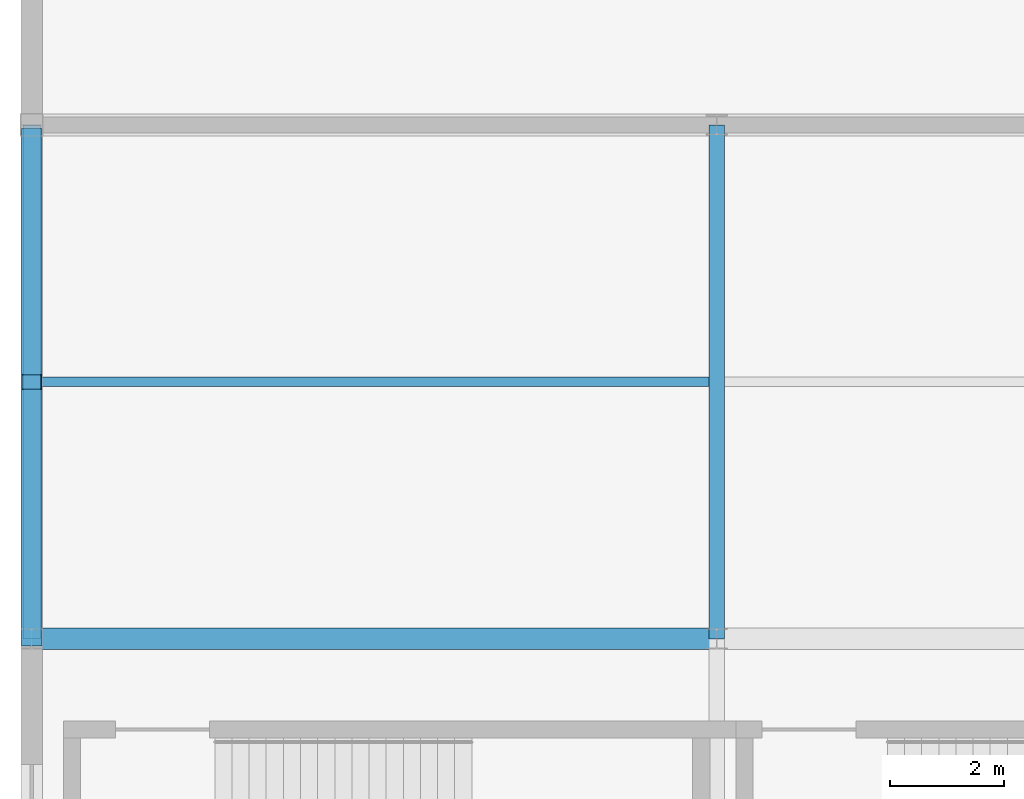
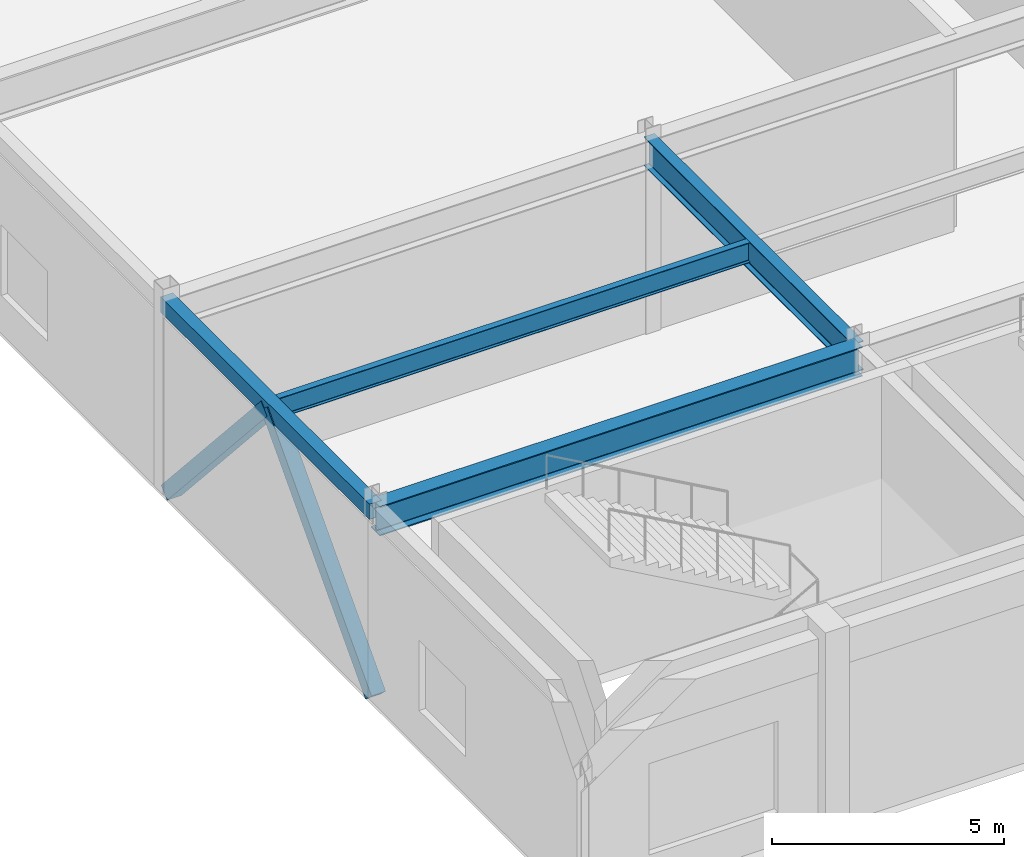
# One storey, part 20 of 100: 4 beams, 2 members.
"""IFC4 building model written with IfcOpenShell, lengths in metres."""

import ifcopenshell
import ifcopenshell.guid

model = None  # the IFC model being written
_history = None  # IfcOwnerHistory: only IFC2X3 demands one
_inside = {}  # id of a spatial element -> (the spatial element, [elements in it])
_under = {}  # id of a project, library or spatial element -> (it, [spatial elements below it])
_declared = {}  # id of a project -> (the project, [libraries it declares])
_typed = {}  # id of a type object -> (the type object, [elements of that type])
_made_of = {}  # id of a material, layer set ... -> (it, [elements and type objects made of it])


def new_model(schema):
    """Start an empty IFC model of exactly this schema.

    Asked for "IFC4X3", IfcOpenShell would pick the latest addendum, in which some entities
    have other attributes; the version numbers below select the first issue.
    IFC2X3 requires an IfcOwnerHistory on every rooted entity: one is made here for all.
    """
    global model, _history
    if schema == "IFC4X3":
        model = ifcopenshell.file(schema_version=(4, 3, 0, 0))
    else:
        model = ifcopenshell.file(schema=schema)
    _inside.clear()
    _under.clear()
    _declared.clear()
    _typed.clear()
    _made_of.clear()
    _history = None
    if model.schema == "IFC2X3":
        org = make("IfcOrganization", Name="unknown")
        user = make(
            "IfcPersonAndOrganization",
            ThePerson=make("IfcPerson", FamilyName="unknown"),
            TheOrganization=org,
        )
        app = make(
            "IfcApplication",
            ApplicationDeveloper=org,
            Version="unknown",
            ApplicationFullName="unknown",
            ApplicationIdentifier="unknown",
        )
        _history = make(
            "IfcOwnerHistory",
            OwningUser=user,
            OwningApplication=app,
            ChangeAction="ADDED",
            CreationDate=0,
        )
    return model


def make(cls, **values):
    """One entity of the class cls with the attributes given. An attribute that is None is left unset."""
    return model.create_entity(
        cls, **{name: value for name, value in values.items() if value is not None}
    )


def rooted(cls, **values):
    """An entity with a GlobalId (a new one), such as an element, a storey or a relation."""
    return make(cls, GlobalId=ifcopenshell.guid.new(), OwnerHistory=_history, **values)


def si_unit(unit_type, name, prefix=None):
    """IfcSIUnit, for example si_unit("LENGTHUNIT", "METRE", prefix="MILLI")."""
    return make("IfcSIUnit", UnitType=unit_type, Prefix=prefix, Name=name)


def assignment(units):
    """IfcUnitAssignment: the units of a project."""
    return None if units is None else make("IfcUnitAssignment", Units=units)


def point(xyz):
    """IfcCartesianPoint."""
    return None if xyz is None else make("IfcCartesianPoint", Coordinates=xyz)


def direction(xyz):
    """IfcDirection."""
    return None if xyz is None else make("IfcDirection", DirectionRatios=xyz)


def frame(location, z_axis=None, x_axis=None):
    """IfcAxis2Placement3D, a coordinate frame: its origin and axes. An axis left out is left unset."""
    return make(
        "IfcAxis2Placement3D",
        Location=point(location),
        Axis=direction(z_axis),
        RefDirection=direction(x_axis),
    )


def frame_2d(location, x_axis=None):
    """IfcAxis2Placement2D, a coordinate frame in the plane: its origin and x axis."""
    return make(
        "IfcAxis2Placement2D", Location=point(location), RefDirection=direction(x_axis)
    )


def origin():
    """The frame at (0, 0, 0) with its axes left unset."""
    return frame((0.0, 0.0, 0.0))


def origin_2d():
    """The frame at (0, 0) in the plane with its x axis left unset."""
    return frame_2d((0.0, 0.0))


def place(relative_to, where):
    """IfcLocalPlacement: puts the frame where relative to a parent placement (None: the world)."""
    return make(
        "IfcLocalPlacement", PlacementRelTo=relative_to, RelativePlacement=where
    )


def context(
    kind, dimensions, precision=None, world=None, true_north=None, identifier=None
):
    """IfcGeometricRepresentationContext, for example the 3D "Model" context."""
    return make(
        "IfcGeometricRepresentationContext",
        ContextIdentifier=identifier,
        ContextType=kind,
        CoordinateSpaceDimension=dimensions,
        Precision=precision,
        WorldCoordinateSystem=world,
        TrueNorth=true_north,
    )


def subcontext(parent, identifier, kind, view, scale=None):
    """IfcGeometricRepresentationSubContext, for example "Body" below "Model"."""
    return make(
        "IfcGeometricRepresentationSubContext",
        ContextIdentifier=identifier,
        ContextType=kind,
        ParentContext=parent,
        TargetScale=scale,
        TargetView=view,
    )


def project(units=None, contexts=None):
    """IfcProject with its units and contexts."""
    return rooted(
        "IfcProject",
        Name="project",
        RepresentationContexts=contexts,
        UnitsInContext=assignment(units),
    )


def spatial(cls, under=None, at=None, **own):
    """A site, building, storey or space (cls), placed at a placement, below another one or the project."""
    s = rooted(cls, ObjectPlacement=at, **own)
    if under is not None:
        _under.setdefault(under.id(), (under, []))[1].append(s)
    return s


def profile(cls, at=None, kind="AREA", **sizes):
    """A parametric profile (cls). Its sizes go by their IFC names, for example OverallWidth=200.0."""
    return make(cls, ProfileType=kind, Position=at, **sizes)


def hollow_rectangle(**sizes):
    """IfcRectangleHollowProfileDef."""
    return profile("IfcRectangleHollowProfileDef", **sizes)


def i_section(**sizes):
    """IfcIShapeProfileDef."""
    return profile("IfcIShapeProfileDef", **sizes)


def extrude(swept, where, along, depth):
    """IfcExtrudedAreaSolid: the profile swept, set in the frame where, extruded along a direction by depth."""
    return make(
        "IfcExtrudedAreaSolid",
        SweptArea=swept,
        Position=where,
        ExtrudedDirection=direction(along),
        Depth=depth,
    )


def shape(context_of_items, identifier, shape_type, items):
    """IfcShapeRepresentation: the items that make up one representation, for example the "Body"."""
    return make(
        "IfcShapeRepresentation",
        ContextOfItems=context_of_items,
        RepresentationIdentifier=identifier,
        RepresentationType=shape_type,
        Items=items,
    )


def material(Name=None, Category=None):
    """IfcMaterial."""
    return make("IfcMaterial", Name=Name, Category=Category)


def material_profile(
    of_material, cross_section, Name=None, Category=None, Priority=None
):
    """IfcMaterialProfile: a cross section and its material."""
    return make(
        "IfcMaterialProfile",
        Name=Name,
        Material=of_material,
        Profile=cross_section,
        Priority=Priority,
        Category=Category,
    )


def profile_set(profiles, Name=None, composite=None):
    """IfcMaterialProfileSet."""
    return make(
        "IfcMaterialProfileSet",
        Name=Name,
        MaterialProfiles=profiles,
        CompositeProfile=composite,
    )


def made_of(thing, what):
    """Note that an element or type object is made of a material, layer set ...; save() writes the relation."""
    if what is not None:
        _made_of.setdefault(what.id(), (what, []))[1].append(thing)
    return thing


def type_object(cls, material=None, **own):
    """A type object (cls), such as IfcWallType, which elements share."""
    return made_of(rooted(cls, **own), material)


def element(
    cls,
    number,
    at=None,
    inside=None,
    cuts=None,
    type_object=None,
    material=None,
    context=None,
    identifier="Body",
    shape_type=None,
    held_by="IfcProductDefinitionShape",
    body=None,
    shapes=None,
    **own,
):
    """One element of the class cls, such as IfcWall. Its Tag is "e" and its number.

    at: its placement. inside: the storey or other place that contains it. cuts: it is an
    opening in that element (IfcRelVoidsElement). A single representation is given by context,
    identifier, shape_type and body (its items); several are given by shapes. held_by: the class
    of the entity that holds the representations. save() writes the other relations.
    """
    e = rooted(cls, Tag="e%d" % number, ObjectPlacement=at, **own)
    if body is not None:
        shapes = [shape(context, identifier, shape_type, body)]
    if shapes is not None:
        e.Representation = make(held_by, Representations=shapes)
    if inside is not None:
        _inside.setdefault(inside.id(), (inside, []))[1].append(e)
    if cuts is not None:
        rooted(
            "IfcRelVoidsElement", RelatingBuildingElement=cuts, RelatedOpeningElement=e
        )
    if type_object is not None:
        _typed.setdefault(type_object.id(), (type_object, []))[1].append(e)
    return made_of(e, material)


def aggregate(whole, parts):
    """IfcRelAggregates: a whole, such as a stair, and the parts it consists of."""
    return rooted("IfcRelAggregates", RelatingObject=whole, RelatedObjects=parts)


def save(model, path):
    """Write the relations noted so far, then the file.

    IfcRelAggregates (storeys below a building ...), IfcRelContainedInSpatialStructure (elements
    in a storey), IfcRelDefinesByType, IfcRelAssociatesMaterial and IfcRelDeclares: one each for
    every whole, place, type object, material and project.
    """
    for whole, parts in _under.values():
        aggregate(whole, parts)
    for where, things in _inside.values():
        rooted(
            "IfcRelContainedInSpatialStructure",
            RelatedElements=things,
            RelatingStructure=where,
        )
    for kind, things in _typed.values():
        rooted("IfcRelDefinesByType", RelatedObjects=things, RelatingType=kind)
    for what, things in _made_of.values():
        rooted("IfcRelAssociatesMaterial", RelatedObjects=things, RelatingMaterial=what)
    for by, libraries in _declared.values():
        rooted("IfcRelDeclares", RelatingContext=by, RelatedDefinitions=libraries)
    model.write(path)


model = new_model("IFC4")

# Units and contexts
model_context = context("Model", 3, precision=1e-05, world=origin(), true_north=direction((0.0, 1.0)))
body_context = subcontext(model_context, "Body", "Model", "MODEL_VIEW")
ifc_project = project(units=[si_unit("LENGTHUNIT", "METRE"), si_unit("AREAUNIT", "SQUARE_METRE"), si_unit("VOLUMEUNIT", "CUBIC_METRE"), si_unit("PLANEANGLEUNIT", "RADIAN"), si_unit("MASSUNIT", "GRAM", prefix="KILO")], contexts=[model_context])

# Site, building, storey
site_placement = place(None, origin())
site = spatial("IfcSite", under=ifc_project, at=site_placement, CompositionType="ELEMENT")
building_placement = place(site_placement, origin())
building = spatial("IfcBuilding", under=site, at=building_placement, Name="Kaldorvane Square Convention Centre", CompositionType="ELEMENT")
storey_placement = place(building_placement, frame((0.0, 0.0, 18.0)))
storey = spatial("IfcBuildingStorey", under=building, at=storey_placement, Name="L03", CompositionType="ELEMENT", Elevation=18.0)

# Beams
ifc_material_1 = material(Name="Steel ASTM A992 Gr. 50", Category="steel")
ifc_material_profile_1 = material_profile(ifc_material_1, i_section(OverallWidth=0.2666015625, OverallDepth=0.762298583984375, WebThickness=0.014404296875, FlangeThickness=0.0216064453125, FilletRadius=0.0164947509765625, at=origin_2d()), Name="W30X116")
ifc_profile_set_1 = profile_set([ifc_material_profile_1], Name="Steel ASTM A992 Gr. 50")
beam_type_1 = type_object("IfcBeamType", Name="BM-GR-W30X116", PredefinedType="BEAM", material=ifc_profile_set_1)
beam_1_placement = place(storey_placement, frame((12.0, 9.0, 4.694793701171875), z_axis=(0.0, 1.0, 0.0), x_axis=(-1.0, 0.0, 0.0)))
element("IfcBeam", 1, at=beam_1_placement, inside=storey, type_object=beam_type_1, Name="Transverse Girder (L03)", PredefinedType="BEAM", context=body_context, shape_type="SweptSolid", body=[
    extrude(i_section(OverallWidth=0.2666015625, OverallDepth=0.762298583984375, WebThickness=0.014404296875, FlangeThickness=0.0216064453125, FilletRadius=0.0164947509765625, at=origin_2d()), origin(), (0.0, 0.0, 1.0), 9.0),
])
ifc_material_profile_2 = material_profile(ifc_material_1, i_section(OverallWidth=0.380706787109375, OverallDepth=0.773193359375, WebThickness=0.0166015625, FlangeThickness=0.027099609375, FilletRadius=0.0164947509765625, at=origin_2d()), Name="W30X173")
ifc_profile_set_2 = profile_set([ifc_material_profile_2], Name="Steel ASTM A992 Gr. 50")
beam_type_2 = type_object("IfcBeamType", Name="BM-GR-W30X173", PredefinedType="BEAM", material=ifc_profile_set_2)
beam_2_placement = place(storey_placement, frame((0.0, 9.0, 4.6894073486328125), z_axis=(1.0, 0.0, 0.0), x_axis=(0.0, 1.0, 0.0)))
element("IfcBeam", 2, at=beam_2_placement, inside=storey, type_object=beam_type_2, Name="Primary Girder (L03)", PredefinedType="BEAM", context=body_context, shape_type="SweptSolid", body=[
    extrude(i_section(OverallWidth=0.380706787109375, OverallDepth=0.773193359375, WebThickness=0.0166015625, FlangeThickness=0.027099609375, FilletRadius=0.0164947509765625, at=origin_2d()), origin(), (0.0, 0.0, 1.0), 12.0),
])
ifc_material_profile_3 = material_profile(ifc_material_1, i_section(OverallWidth=0.1658935546875, OverallDepth=0.5290985107421875, WebThickness=0.00970458984375, FlangeThickness=0.0135955810546875, FilletRadius=0.0126953125, at=origin_2d()), Name="W21X50")
ifc_profile_set_3 = profile_set([ifc_material_profile_3], Name="Steel ASTM A992 Gr. 50")
beam_type_3 = type_object("IfcBeamType", Name="BM-JS-W21X50", PredefinedType="JOIST", material=ifc_profile_set_3)
beam_3_placement = place(storey_placement, frame((0.15240478515625, 13.5, 4.8114013671875), z_axis=(1.0, 0.0, 0.0), x_axis=(0.0, 1.0, 0.0)))
element("IfcBeam", 3, at=beam_3_placement, inside=storey, type_object=beam_type_3, Name="Secondary Floor Joist (L03)", PredefinedType="JOIST", context=body_context, shape_type="SweptSolid", body=[
    extrude(i_section(OverallWidth=0.1658935546875, OverallDepth=0.5290985107421875, WebThickness=0.00970458984375, FlangeThickness=0.0135955810546875, FilletRadius=0.0126953125, at=origin_2d()), origin(), (0.0, 0.0, 1.0), 11.71429443359375),
])
ifc_material_2 = material(Name="Steel ASTM A500 Gr. C", Category="steel")
ifc_material_profile_4 = material_profile(ifc_material_2, hollow_rectangle(XDim=0.3047943115234375, YDim=0.406402587890625, WallThickness=0.0117950439453125, at=origin_2d()), Name="HSS16X12X1/2")
ifc_profile_set_4 = profile_set([ifc_material_profile_4], Name="Steel ASTM A500 Gr. C")
beam_type_4 = type_object("IfcBeamType", Name="BM-SP-HSS16", PredefinedType="SPANDREL", material=ifc_profile_set_4)
beam_4_placement = place(storey_placement, frame((0.0, 9.0, 4.872802734375), z_axis=(0.0, 1.0, 0.0), x_axis=(-1.0, 0.0, 0.0)))
element("IfcBeam", 4, at=beam_4_placement, inside=storey, type_object=beam_type_4, Name="End Spandrel (L03)", PredefinedType="SPANDREL", context=body_context, shape_type="SweptSolid", body=[
    extrude(hollow_rectangle(XDim=0.3047943115234375, YDim=0.406402587890625, WallThickness=0.0117950439453125, at=origin_2d()), origin(), (0.0, 0.0, 1.0), 9.0),
])

# Members
ifc_material_profile_5 = material_profile(ifc_material_2, hollow_rectangle(XDim=0.3556060791015625, YDim=0.3556060791015625, WallThickness=0.0117950439453125, at=origin_2d()), Name="HSS14X14X1/2")
ifc_profile_set_5 = profile_set([ifc_material_profile_5], Name="Steel ASTM A500 Gr. C")
member_type = type_object("IfcMemberType", Name="MB-BR-HSS14", PredefinedType="BRACE", material=ifc_profile_set_5)
member_1_placement = place(storey_placement, frame((0.0, 9.0, 0.0), z_axis=(0.0, 0.678445192455, 0.73465101976), x_axis=(-1.0, 0.0, 0.0)))
element("IfcMember", 5, at=member_1_placement, inside=storey, type_object=member_type, Name="Seismic Chevron Brace X0-B1A (L03)", PredefinedType="BRACE", context=body_context, shape_type="SweptSolid", body=[
    extrude(hollow_rectangle(XDim=0.3556060791015625, YDim=0.3556060791015625, WallThickness=0.0117950439453125, at=origin_2d()), origin(), (0.0, 0.0, 1.0), 6.6328125),
])
member_2_placement = place(storey_placement, frame((0.0, 17.80419921875, 0.0500030517578125), z_axis=(0.0, -0.665854622102, 0.746081511784), x_axis=(1.0, 0.0, 0.0)))
element("IfcMember", 6, at=member_2_placement, inside=storey, type_object=member_type, Name="Seismic Chevron Brace X0-B1B (L03)", PredefinedType="BRACE", context=body_context, shape_type="SweptSolid", body=[
    extrude(hollow_rectangle(XDim=0.3556060791015625, YDim=0.3556060791015625, WallThickness=0.0117950439453125, at=origin_2d()), origin(), (0.0, 0.0, 1.0), 6.46417236328125),
])

save(model, "model.ifc")
